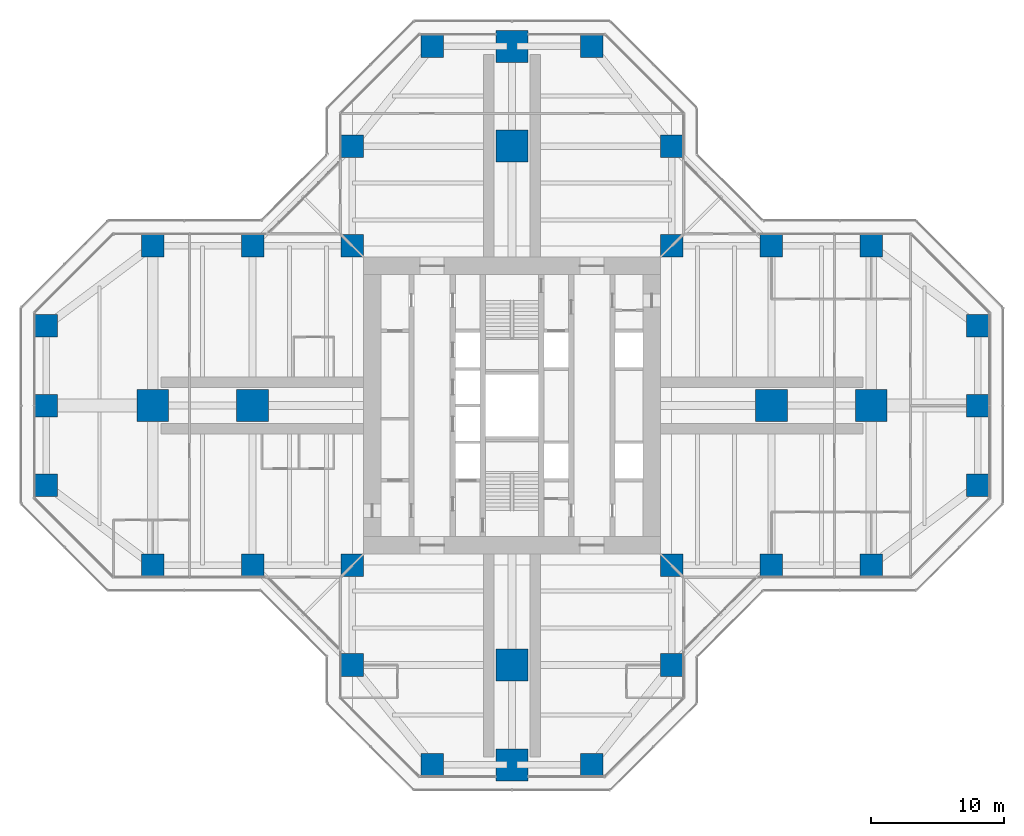
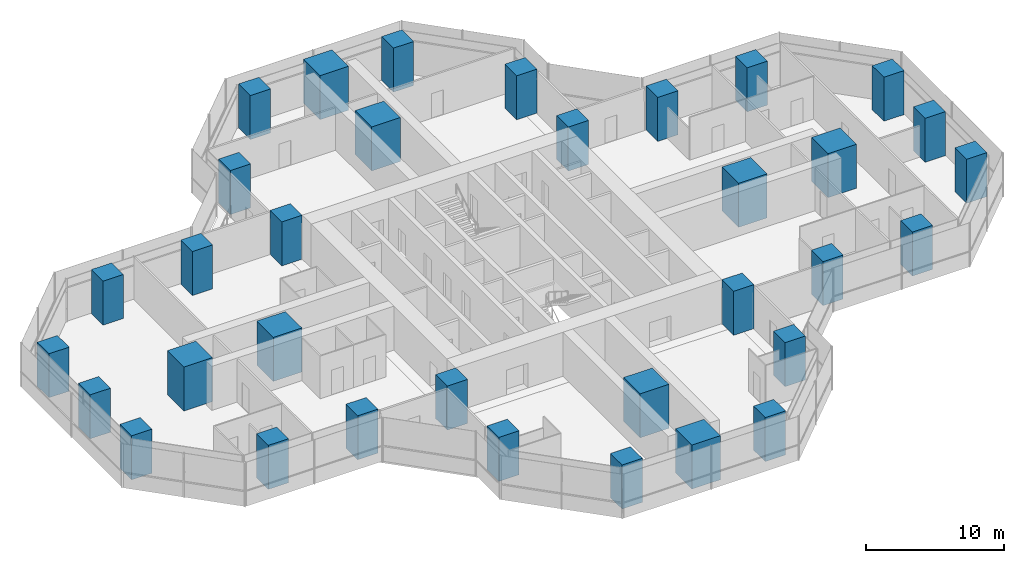
# One storey, part 1 of 20: 34 columns.
"""IFC4 building model written with IfcOpenShell, lengths in metres."""

from ifc_helpers import new_model, si_unit, direction, frame, origin, origin_2d, place, context, subcontext, project, spatial, rectangle, extrude, material, material_profile, profile_set, type_object, element, save


model = new_model("IFC4")

# Units and contexts
model_context = context("Model", 3, precision=1e-05, world=origin(), true_north=direction((0.0, 1.0)))
body_context = subcontext(model_context, "Body", "Model", "MODEL_VIEW")
ifc_project = project(units=[si_unit("LENGTHUNIT", "METRE"), si_unit("AREAUNIT", "SQUARE_METRE"), si_unit("VOLUMEUNIT", "CUBIC_METRE"), si_unit("PLANEANGLEUNIT", "RADIAN"), si_unit("MASSUNIT", "GRAM", prefix="KILO")], contexts=[model_context])

# Site, building, storey
site_placement = place(None, origin())
site = spatial("IfcSite", under=ifc_project, at=site_placement, CompositionType="ELEMENT")
building_placement = place(site_placement, origin())
building = spatial("IfcBuilding", under=site, at=building_placement, Name="Mizan Broadcast Tower", CompositionType="ELEMENT")
storey_placement = place(building_placement, frame((0.0, 0.0, 135.89990234375)))
storey = spatial("IfcBuildingStorey", under=building, at=storey_placement, Name="L30", CompositionType="ELEMENT", Elevation=135.89990234375)

# Columns
ifc_material_1 = material(Name="Concrete C70/85", Category="concrete")
ifc_material_profile_1 = material_profile(ifc_material_1, rectangle(XDim=1.699951171875, YDim=1.699951171875, at=origin_2d()), Name="RC 1700x1700")
ifc_profile_set_1 = profile_set([ifc_material_profile_1], Name="Concrete C70/85")
column_type_1 = type_object("IfcColumnType", Name="RC COLUMN 1700x1700 C70/85", PredefinedType="COLUMN", material=ifc_profile_set_1)
for number, where, z_axis, x_axis, name in (
    (1, (-6.0, -27.0, 0.0), (0.0, 0.0, 1.0), (1.0, 0.0, 0.0), "Column 5/B L30"),
    (2, (6.0, -27.0, 0.0), (0.0, 0.0, 1.0), (1.0, 0.0, 0.0), "Column 7/B L30"),
    (3, (-12.0, -19.5, 0.0), (0.0, 0.0, 1.0), (1.0, 0.0, 0.0), "Column 4/C L30"),
    (4, (12.0, -19.5, 0.0), (0.0, 0.0, 1.0), (1.0, 0.0, 0.0), "Column 8/C L30"),
    (5, (-27.0, -12.0, 0.0), (0.0, 0.0, 1.0), (1.0, 0.0, 0.0), "Column 2/D L30"),
    (6, (-19.5, -12.0, 0.0), (0.0, 0.0, 1.0), (1.0, 0.0, 0.0), "Column 3/D L30"),
    (7, (-12.0, -12.0, 0.0), (0.0, 0.0, 1.0), (1.0, 0.0, 0.0), "Column 4/D L30"),
    (8, (12.0, -12.0, 0.0), (0.0, 0.0, 1.0), (1.0, 0.0, 0.0), "Column 8/D L30"),
    (9, (19.5, -12.0, 0.0), (0.0, 0.0, 1.0), (1.0, 0.0, 0.0), "Column 9/D L30"),
    (10, (27.0, -12.0, 0.0), (0.0, 0.0, 1.0), (1.0, 0.0, 0.0), "Column 10/D L30"),
    (11, (-35.0, -6.0, 0.0), (0.0, 0.0, 1.0), (1.0, 0.0, 0.0), "Column 1/E L30"),
    (12, (35.0, -6.0, 0.0), (0.0, 0.0, 1.0), (1.0, 0.0, 0.0), "Column 11/E L30"),
    (13, (-35.0, 0.0, 0.0), (0.0, 0.0, 1.0), (1.0, 0.0, 0.0), "Column 1/F L30"),
    (14, (35.0, 0.0, 0.0), (0.0, 0.0, 1.0), (1.0, 0.0, 0.0), "Column 11/F L30"),
    (15, (-35.0, 6.0, 0.0), (0.0, 0.0, 1.0), (1.0, 0.0, 0.0), "Column 1/G L30"),
    (16, (35.0, 6.0, 0.0), (0.0, 0.0, 1.0), (1.0, 0.0, 0.0), "Column 11/G L30"),
    (17, (-27.0, 12.0, 0.0), (0.0, 0.0, 1.0), (1.0, 0.0, 0.0), "Column 2/H L30"),
    (18, (-19.5, 12.0, 0.0), (0.0, 0.0, 1.0), (1.0, 0.0, 0.0), "Column 3/H L30"),
    (19, (-12.0, 12.0, 0.0), (0.0, 0.0, 1.0), (1.0, 0.0, 0.0), "Column 4/H L30"),
    (20, (12.0, 12.0, 0.0), (0.0, 0.0, 1.0), (1.0, 0.0, 0.0), "Column 8/H L30"),
    (21, (19.5, 12.0, 0.0), (0.0, 0.0, 1.0), (1.0, 0.0, 0.0), "Column 9/H L30"),
    (22, (27.0, 12.0, 0.0), (0.0, 0.0, 1.0), (1.0, 0.0, 0.0), "Column 10/H L30"),
    (23, (-12.0, 19.5, 0.0), (0.0, 0.0, 1.0), (1.0, 0.0, 0.0), "Column 4/J L30"),
    (24, (12.0, 19.5, 0.0), (0.0, 0.0, 1.0), (1.0, 0.0, 0.0), "Column 8/J L30"),
    (25, (-6.0, 27.0, 0.0), (0.0, 0.0, 1.0), (1.0, 0.0, 0.0), "Column 5/K L30"),
    (26, (6.0, 27.0, 0.0), (0.0, 0.0, 1.0), (1.0, 0.0, 0.0), "Column 7/K L30"),
):
    element("IfcColumn", number, at=place(storey_placement, frame(where, z_axis=z_axis, x_axis=x_axis)), inside=storey, type_object=column_type_1, Name=name, PredefinedType="COLUMN", context=body_context, shape_type="SweptSolid", body=[
        extrude(rectangle(XDim=1.699951171875, YDim=1.699951171875, at=origin_2d()), origin(), (0.0, 0.0, 1.0), 3.900146484375),
    ])
ifc_material_2 = material(Name="Concrete C70/85", Category="concrete")
ifc_material_profile_2 = material_profile(ifc_material_2, rectangle(XDim=2.39990234375, YDim=2.39990234375, at=origin_2d()), Name="RC 2400x2400")
ifc_profile_set_2 = profile_set([ifc_material_profile_2], Name="Concrete C70/85")
column_type_2 = type_object("IfcColumnType", Name="RC COLUMN 2400x2400 C70/85", PredefinedType="COLUMN", material=ifc_profile_set_2)
for number, where, z_axis, x_axis, name in (
    (27, (0.0, -27.0, 0.0), (0.0, 0.0, 1.0), (1.0, 0.0, 0.0), "Column 6/B L30"),
    (28, (0.0, -19.5, 0.0), (0.0, 0.0, 1.0), (1.0, 0.0, 0.0), "Column 6/C L30"),
    (29, (-27.0, 0.0, 0.0), (0.0, 0.0, 1.0), (1.0, 0.0, 0.0), "Column 2/F L30"),
    (30, (-19.5, 0.0, 0.0), (0.0, 0.0, 1.0), (1.0, 0.0, 0.0), "Column 3/F L30"),
    (31, (19.5, 0.0, 0.0), (0.0, 0.0, 1.0), (1.0, 0.0, 0.0), "Column 9/F L30"),
    (32, (27.0, 0.0, 0.0), (0.0, 0.0, 1.0), (1.0, 0.0, 0.0), "Column 10/F L30"),
    (33, (0.0, 19.5, 0.0), (0.0, 0.0, 1.0), (1.0, 0.0, 0.0), "Column 6/J L30"),
    (34, (0.0, 27.0, 0.0), (0.0, 0.0, 1.0), (1.0, 0.0, 0.0), "Column 6/K L30"),
):
    element("IfcColumn", number, at=place(storey_placement, frame(where, z_axis=z_axis, x_axis=x_axis)), inside=storey, type_object=column_type_2, Name=name, PredefinedType="COLUMN", context=body_context, shape_type="SweptSolid", body=[
        extrude(rectangle(XDim=2.39990234375, YDim=2.39990234375, at=origin_2d()), origin(), (0.0, 0.0, 1.0), 3.900146484375),
    ])

save(model, "model.ifc")
